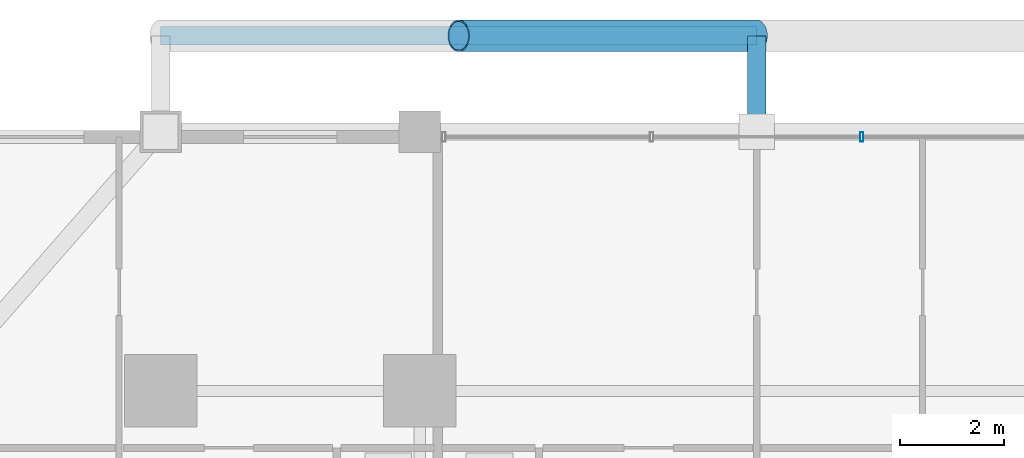
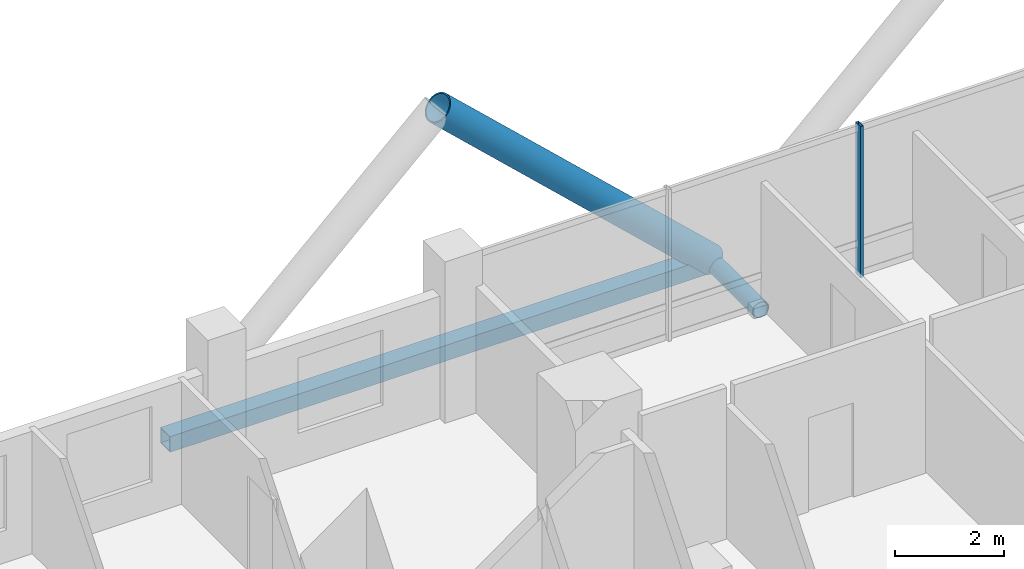
# One storey, part 16 of 28: 4 members, 1 element without a shape of its own.
"""IFC4 building model written with IfcOpenShell, lengths in metres."""

import ifcopenshell
import ifcopenshell.guid

model = None  # the IFC model being written
_history = None  # IfcOwnerHistory: only IFC2X3 demands one
_inside = {}  # id of a spatial element -> (the spatial element, [elements in it])
_under = {}  # id of a project, library or spatial element -> (it, [spatial elements below it])
_declared = {}  # id of a project -> (the project, [libraries it declares])
_typed = {}  # id of a type object -> (the type object, [elements of that type])
_made_of = {}  # id of a material, layer set ... -> (it, [elements and type objects made of it])


def new_model(schema):
    """Start an empty IFC model of exactly this schema.

    Asked for "IFC4X3", IfcOpenShell would pick the latest addendum, in which some entities
    have other attributes; the version numbers below select the first issue.
    IFC2X3 requires an IfcOwnerHistory on every rooted entity: one is made here for all.
    """
    global model, _history
    if schema == "IFC4X3":
        model = ifcopenshell.file(schema_version=(4, 3, 0, 0))
    else:
        model = ifcopenshell.file(schema=schema)
    _inside.clear()
    _under.clear()
    _declared.clear()
    _typed.clear()
    _made_of.clear()
    _history = None
    if model.schema == "IFC2X3":
        org = make("IfcOrganization", Name="unknown")
        user = make(
            "IfcPersonAndOrganization",
            ThePerson=make("IfcPerson", FamilyName="unknown"),
            TheOrganization=org,
        )
        app = make(
            "IfcApplication",
            ApplicationDeveloper=org,
            Version="unknown",
            ApplicationFullName="unknown",
            ApplicationIdentifier="unknown",
        )
        _history = make(
            "IfcOwnerHistory",
            OwningUser=user,
            OwningApplication=app,
            ChangeAction="ADDED",
            CreationDate=0,
        )
    return model


def make(cls, **values):
    """One entity of the class cls with the attributes given. An attribute that is None is left unset."""
    return model.create_entity(
        cls, **{name: value for name, value in values.items() if value is not None}
    )


def rooted(cls, **values):
    """An entity with a GlobalId (a new one), such as an element, a storey or a relation."""
    return make(cls, GlobalId=ifcopenshell.guid.new(), OwnerHistory=_history, **values)


def si_unit(unit_type, name, prefix=None):
    """IfcSIUnit, for example si_unit("LENGTHUNIT", "METRE", prefix="MILLI")."""
    return make("IfcSIUnit", UnitType=unit_type, Prefix=prefix, Name=name)


def assignment(units):
    """IfcUnitAssignment: the units of a project."""
    return None if units is None else make("IfcUnitAssignment", Units=units)


def point(xyz):
    """IfcCartesianPoint."""
    return None if xyz is None else make("IfcCartesianPoint", Coordinates=xyz)


def direction(xyz):
    """IfcDirection."""
    return None if xyz is None else make("IfcDirection", DirectionRatios=xyz)


def frame(location, z_axis=None, x_axis=None):
    """IfcAxis2Placement3D, a coordinate frame: its origin and axes. An axis left out is left unset."""
    return make(
        "IfcAxis2Placement3D",
        Location=point(location),
        Axis=direction(z_axis),
        RefDirection=direction(x_axis),
    )


def frame_2d(location, x_axis=None):
    """IfcAxis2Placement2D, a coordinate frame in the plane: its origin and x axis."""
    return make(
        "IfcAxis2Placement2D", Location=point(location), RefDirection=direction(x_axis)
    )


def origin():
    """The frame at (0, 0, 0) with its axes left unset."""
    return frame((0.0, 0.0, 0.0))


def origin_2d():
    """The frame at (0, 0) in the plane with its x axis left unset."""
    return frame_2d((0.0, 0.0))


def place(relative_to, where):
    """IfcLocalPlacement: puts the frame where relative to a parent placement (None: the world)."""
    return make(
        "IfcLocalPlacement", PlacementRelTo=relative_to, RelativePlacement=where
    )


def context(
    kind, dimensions, precision=None, world=None, true_north=None, identifier=None
):
    """IfcGeometricRepresentationContext, for example the 3D "Model" context."""
    return make(
        "IfcGeometricRepresentationContext",
        ContextIdentifier=identifier,
        ContextType=kind,
        CoordinateSpaceDimension=dimensions,
        Precision=precision,
        WorldCoordinateSystem=world,
        TrueNorth=true_north,
    )


def subcontext(parent, identifier, kind, view, scale=None):
    """IfcGeometricRepresentationSubContext, for example "Body" below "Model"."""
    return make(
        "IfcGeometricRepresentationSubContext",
        ContextIdentifier=identifier,
        ContextType=kind,
        ParentContext=parent,
        TargetScale=scale,
        TargetView=view,
    )


def project(units=None, contexts=None):
    """IfcProject with its units and contexts."""
    return rooted(
        "IfcProject",
        Name="project",
        RepresentationContexts=contexts,
        UnitsInContext=assignment(units),
    )


def spatial(cls, under=None, at=None, **own):
    """A site, building, storey or space (cls), placed at a placement, below another one or the project."""
    s = rooted(cls, ObjectPlacement=at, **own)
    if under is not None:
        _under.setdefault(under.id(), (under, []))[1].append(s)
    return s


def profile(cls, at=None, kind="AREA", **sizes):
    """A parametric profile (cls). Its sizes go by their IFC names, for example OverallWidth=200.0."""
    return make(cls, ProfileType=kind, Position=at, **sizes)


def hollow_rectangle(**sizes):
    """IfcRectangleHollowProfileDef."""
    return profile("IfcRectangleHollowProfileDef", **sizes)


def hollow_circle(**sizes):
    """IfcCircleHollowProfileDef."""
    return profile("IfcCircleHollowProfileDef", **sizes)


def extrude(swept, where, along, depth):
    """IfcExtrudedAreaSolid: the profile swept, set in the frame where, extruded along a direction by depth."""
    return make(
        "IfcExtrudedAreaSolid",
        SweptArea=swept,
        Position=where,
        ExtrudedDirection=direction(along),
        Depth=depth,
    )


def shape(context_of_items, identifier, shape_type, items):
    """IfcShapeRepresentation: the items that make up one representation, for example the "Body"."""
    return make(
        "IfcShapeRepresentation",
        ContextOfItems=context_of_items,
        RepresentationIdentifier=identifier,
        RepresentationType=shape_type,
        Items=items,
    )


def material(Name=None, Category=None):
    """IfcMaterial."""
    return make("IfcMaterial", Name=Name, Category=Category)


def layer(
    of_material, thickness, ventilated=None, Name=None, Category=None, Priority=None
):
    """IfcMaterialLayer: one layer of a wall or slab, of a material (None: an air gap)."""
    return make(
        "IfcMaterialLayer",
        Material=of_material,
        LayerThickness=thickness,
        IsVentilated=ventilated,
        Name=Name,
        Category=Category,
        Priority=Priority,
    )


def layer_set(layers, Name=None):
    """IfcMaterialLayerSet."""
    return make("IfcMaterialLayerSet", MaterialLayers=layers, LayerSetName=Name)


def material_profile(
    of_material, cross_section, Name=None, Category=None, Priority=None
):
    """IfcMaterialProfile: a cross section and its material."""
    return make(
        "IfcMaterialProfile",
        Name=Name,
        Material=of_material,
        Profile=cross_section,
        Priority=Priority,
        Category=Category,
    )


def profile_set(profiles, Name=None, composite=None):
    """IfcMaterialProfileSet."""
    return make(
        "IfcMaterialProfileSet",
        Name=Name,
        MaterialProfiles=profiles,
        CompositeProfile=composite,
    )


def made_of(thing, what):
    """Note that an element or type object is made of a material, layer set ...; save() writes the relation."""
    if what is not None:
        _made_of.setdefault(what.id(), (what, []))[1].append(thing)
    return thing


def type_object(cls, material=None, **own):
    """A type object (cls), such as IfcWallType, which elements share."""
    return made_of(rooted(cls, **own), material)


def element(
    cls,
    number,
    at=None,
    inside=None,
    cuts=None,
    type_object=None,
    material=None,
    context=None,
    identifier="Body",
    shape_type=None,
    held_by="IfcProductDefinitionShape",
    body=None,
    shapes=None,
    **own,
):
    """One element of the class cls, such as IfcWall. Its Tag is "e" and its number.

    at: its placement. inside: the storey or other place that contains it. cuts: it is an
    opening in that element (IfcRelVoidsElement). A single representation is given by context,
    identifier, shape_type and body (its items); several are given by shapes. held_by: the class
    of the entity that holds the representations. save() writes the other relations.
    """
    e = rooted(cls, Tag="e%d" % number, ObjectPlacement=at, **own)
    if body is not None:
        shapes = [shape(context, identifier, shape_type, body)]
    if shapes is not None:
        e.Representation = make(held_by, Representations=shapes)
    if inside is not None:
        _inside.setdefault(inside.id(), (inside, []))[1].append(e)
    if cuts is not None:
        rooted(
            "IfcRelVoidsElement", RelatingBuildingElement=cuts, RelatedOpeningElement=e
        )
    if type_object is not None:
        _typed.setdefault(type_object.id(), (type_object, []))[1].append(e)
    return made_of(e, material)


def aggregate(whole, parts):
    """IfcRelAggregates: a whole, such as a stair, and the parts it consists of."""
    return rooted("IfcRelAggregates", RelatingObject=whole, RelatedObjects=parts)


def save(model, path):
    """Write the relations noted so far, then the file.

    IfcRelAggregates (storeys below a building ...), IfcRelContainedInSpatialStructure (elements
    in a storey), IfcRelDefinesByType, IfcRelAssociatesMaterial and IfcRelDeclares: one each for
    every whole, place, type object, material and project.
    """
    for whole, parts in _under.values():
        aggregate(whole, parts)
    for where, things in _inside.values():
        rooted(
            "IfcRelContainedInSpatialStructure",
            RelatedElements=things,
            RelatingStructure=where,
        )
    for kind, things in _typed.values():
        rooted("IfcRelDefinesByType", RelatedObjects=things, RelatingType=kind)
    for what, things in _made_of.values():
        rooted("IfcRelAssociatesMaterial", RelatedObjects=things, RelatingMaterial=what)
    for by, libraries in _declared.values():
        rooted("IfcRelDeclares", RelatingContext=by, RelatedDefinitions=libraries)
    model.write(path)


model = new_model("IFC4")

# Units and contexts
model_context = context("Model", 3, precision=1e-05, world=origin(), true_north=direction((0.0, 1.0)))
body_context = subcontext(model_context, "Body", "Model", "MODEL_VIEW")
ifc_project = project(units=[si_unit("LENGTHUNIT", "METRE"), si_unit("AREAUNIT", "SQUARE_METRE"), si_unit("VOLUMEUNIT", "CUBIC_METRE"), si_unit("PLANEANGLEUNIT", "RADIAN"), si_unit("MASSUNIT", "GRAM", prefix="KILO")], contexts=[model_context])

# Site, building, storey
site_placement = place(None, origin())
site = spatial("IfcSite", under=ifc_project, at=site_placement, CompositionType="ELEMENT")
building_placement = place(site_placement, origin())
building = spatial("IfcBuilding", under=site, at=building_placement, Name="Barlavira Tower and Art Museum", CompositionType="ELEMENT")
storey_placement = place(building_placement, frame((0.0, 0.0, 39.60009765625)))
storey = spatial("IfcBuildingStorey", under=building, at=storey_placement, Name="L08", CompositionType="ELEMENT", Elevation=39.60009765625)

# Curtain wall, member
ifc_material_1 = material(Name="Low-iron coastal laminated glass", Category="glass")
ifc_layer = layer(ifc_material_1, 0.179931640625, Name="Low-iron coastal laminated glass")
ifc_layer_set = layer_set([ifc_layer], Name="Low-iron coastal laminated glass")
curtain_wall_type = type_object("IfcCurtainWallType", Name="Pale-Metal Unitised Curtain Wall Zone 1", PredefinedType="NOTDEFINED", material=ifc_layer_set)
curtain_wall_placement = place(storey_placement, origin())
curtain_wall = element("IfcCurtainWall", 1, at=curtain_wall_placement, inside=storey, type_object=curtain_wall_type, Name="L08 Curtain Wall CW1-L08-N-B3", PredefinedType="NOTDEFINED")
ifc_material_2 = material(Name="Pale anodised aluminium", Category="aluminium")
ifc_material_profile_1 = material_profile(ifc_material_2, hollow_rectangle(XDim=0.06494140625, YDim=0.179931640625, WallThickness=0.00390625, at=origin_2d()), Name="ALU-MULL 65x180x4")
ifc_profile_set_1 = profile_set([ifc_material_profile_1], Name="Pale anodised aluminium")
member_type_1 = type_object("IfcMemberType", Name="Curtain Wall Pale-Metal Mullion 65x180", PredefinedType="MULLION", material=ifc_profile_set_1)
member_1_placement = place(storey_placement, frame((2.026611328125, 24.89990234375, 0.0), z_axis=(0.0, 0.0, 1.0), x_axis=(-1.0, 0.0, 0.0)))
member_1 = element("IfcMember", 2, at=member_1_placement, type_object=member_type_1, Name="CW1-L08-N-B3 Mullion 1", PredefinedType="MULLION", context=body_context, shape_type="SweptSolid", body=[
    extrude(hollow_rectangle(XDim=0.06494140625, YDim=0.179931640625, WallThickness=0.00390625, at=origin_2d()), origin(), (0.0, 0.0, 1.0), 3.3798828125),
])
aggregate(curtain_wall, [member_1])

# Members
ifc_material_3 = material(Name="Steel S355", Category="steel")
ifc_material_profile_2 = material_profile(ifc_material_3, hollow_circle(Radius=0.304931640625, WallThickness=0.028076171875, at=origin_2d()), Name="CHS 610.0x28.0")
ifc_profile_set_2 = profile_set([ifc_material_profile_2], Name="Steel S355")
member_type_2 = type_object("IfcMemberType", Name="Pale-Metal Exoskeleton Diagrid Tube CHS 610x28 Steel S355", PredefinedType="BRACE", material=ifc_profile_set_2)
member_2_placement = place(storey_placement, frame((0.0, 26.85009765625, -0.1201171875), z_axis=(-0.728950095515, 0.0, 0.684566839869), x_axis=(0.0, -1.0, 0.0)))
element("IfcMember", 3, at=member_2_placement, inside=storey, type_object=member_type_2, Name="L08 Exoskeleton Diagrid Tube N", PredefinedType="BRACE", context=body_context, shape_type="SweptSolid", body=[
    extrude(hollow_circle(Radius=0.304931640625, WallThickness=0.028076171875, at=origin_2d()), origin(), (0.0, 0.0, 1.0), 7.887939453125),
])
ifc_material_profile_3 = material_profile(ifc_material_3, hollow_rectangle(XDim=0.35009765625, YDim=0.35009765625, WallThickness=0.02001953125, at=origin_2d()), Name="SHS 350x350x20.0")
ifc_profile_set_3 = profile_set([ifc_material_profile_3], Name="Steel S355")
member_type_3 = type_object("IfcMemberType", Name="Pale-Metal Exoskeleton Ring Strut SHS 350x350x20 Steel S355", PredefinedType="STRUT", material=ifc_profile_set_3)
member_3_placement = place(storey_placement, frame((-11.5, 26.85009765625, -0.1201171875), z_axis=(1.0, 0.0, 0.0), x_axis=(0.0, 1.0, 0.0)))
element("IfcMember", 4, at=member_3_placement, inside=storey, type_object=member_type_3, Name="L08 Exoskeleton Ring Strut N", PredefinedType="STRUT", context=body_context, shape_type="SweptSolid", body=[
    extrude(hollow_rectangle(XDim=0.35009765625, YDim=0.35009765625, WallThickness=0.02001953125, at=origin_2d()), origin(), (0.0, 0.0, 1.0), 11.5),
])
ifc_material_profile_4 = material_profile(ifc_material_3, hollow_circle(Radius=0.177734375, WallThickness=0.01611328125, at=origin_2d()), Name="CHS 355.6x16.0")
ifc_profile_set_4 = profile_set([ifc_material_profile_4], Name="Steel S355")
member_type_4 = type_object("IfcMemberType", Name="Pale-Metal Exoskeleton Tie Strut CHS 356x16 Steel S355", PredefinedType="STRUT", material=ifc_profile_set_4)
member_4_placement = place(storey_placement, frame((0.0, 26.85009765625, -0.1201171875), z_axis=(0.0, -1.0, 0.0), x_axis=(1.0, 0.0, 0.0)))
element("IfcMember", 5, at=member_4_placement, inside=storey, type_object=member_type_4, Name="L08 Exoskeleton Tie Strut N2", PredefinedType="STRUT", context=body_context, shape_type="SweptSolid", body=[
    extrude(hollow_circle(Radius=0.177734375, WallThickness=0.01611328125, at=origin_2d()), origin(), (0.0, 0.0, 1.0), 1.85009765625),
])

save(model, "model.ifc")
